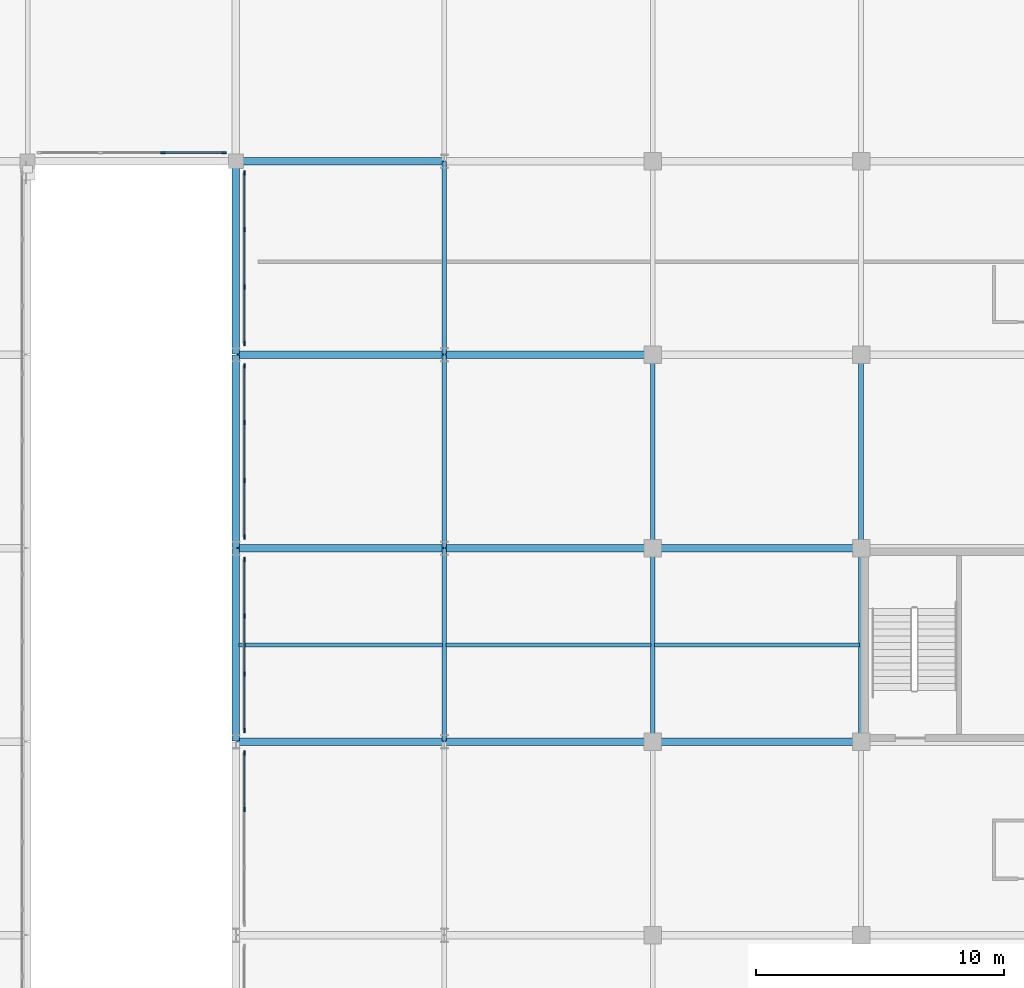
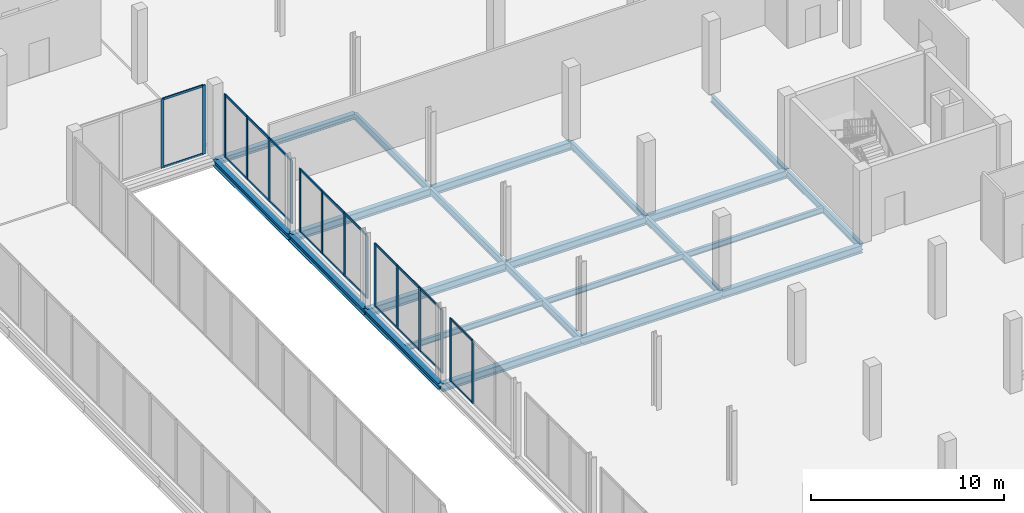
# One storey, part 54 of 98: 38 members, 22 beams, 5 elements without a shape of their own.
"""IFC4 building model written with IfcOpenShell, lengths in metres."""

from ifc_helpers import new_model, si_unit, direction, frame, origin, origin_2d, place, context, subcontext, project, spatial, rectangle, i_section, extrude, material, material_profile, profile_set, type_object, element, aggregate, save


model = new_model("IFC4")

# Units and contexts
model_context = context("Model", 3, precision=1e-05, world=origin(), true_north=direction((0.0, 1.0)))
body_context = subcontext(model_context, "Body", "Model", "MODEL_VIEW")
ifc_project = project(units=[si_unit("LENGTHUNIT", "METRE"), si_unit("AREAUNIT", "SQUARE_METRE"), si_unit("VOLUMEUNIT", "CUBIC_METRE"), si_unit("PLANEANGLEUNIT", "RADIAN"), si_unit("MASSUNIT", "GRAM", prefix="KILO")], contexts=[model_context])

# Site, building, storey
site_placement = place(None, origin())
site = spatial("IfcSite", under=ifc_project, at=site_placement, CompositionType="ELEMENT")
building_placement = place(site_placement, origin())
building = spatial("IfcBuilding", under=site, at=building_placement, Name="Nabrawat Pavilion Hospital", CompositionType="ELEMENT")
storey_placement = place(building_placement, frame((0.0, 0.0, 10.199951171875)))
storey = spatial("IfcBuildingStorey", under=building, at=storey_placement, Name="L02", CompositionType="ELEMENT", Elevation=10.199951171875)

# Curtain wall, members
ifc_material_1 = material(Name="Anodised Aluminium", Category="aluminium")
curtain_wall_type = type_object("IfcCurtainWallType", Name="Healing Garden Cloister Curtain Wall", PredefinedType="USERDEFINED", material=ifc_material_1)
curtain_wall_1_placement = place(storey_placement, origin())
curtain_wall_1 = element("IfcCurtainWall", 1, at=curtain_wall_1_placement, inside=storey, type_object=curtain_wall_type, Name="L02 Healing Garden Cloister Curtain Wall 129", ObjectType="CURTAIN WALL", PredefinedType="USERDEFINED")
ifc_material_profile_1 = material_profile(ifc_material_1, rectangle(XDim=0.06494140625, YDim=0.179931640625, at=origin_2d()), Name="CWM 65x180")
ifc_profile_set_1 = profile_set([ifc_material_profile_1], Name="Anodised Aluminium")
member_type_1 = type_object("IfcMemberType", Name="Healing Garden Cloister Curtain Wall Mullion CWM 65x180", PredefinedType="MULLION", material=ifc_profile_set_1)
member_1_placement = place(storey_placement, frame((123.05322265625, 86.139892578125, 0.0), z_axis=(0.0, 0.0, 1.0), x_axis=(0.0, 1.0, 0.0)))
member_1 = element("IfcMember", 2, at=member_1_placement, type_object=member_type_1, Name="CW-CLN-01 mullion 3", PredefinedType="MULLION", context=body_context, shape_type="SweptSolid", body=[
    extrude(rectangle(XDim=0.06494140625, YDim=0.179931640625, at=origin_2d()), origin(), (0.0, 0.0, 1.0), 4.3701171875),
])
member_2_placement = place(storey_placement, frame((125.527587890625, 86.139892578125, 0.0), z_axis=(0.0, 0.0, 1.0), x_axis=(0.0, 1.0, 0.0)))
member_2 = element("IfcMember", 3, at=member_2_placement, type_object=member_type_1, Name="CW-CLN-01 mullion 4", PredefinedType="MULLION", context=body_context, shape_type="SweptSolid", body=[
    extrude(rectangle(XDim=0.06494140625, YDim=0.179931640625, at=origin_2d()), origin(), (0.0, 0.0, 1.0), 4.3701171875),
])

curtain_wall_2_placement = place(storey_placement, origin())
curtain_wall_2 = element("IfcCurtainWall", 4, at=curtain_wall_2_placement, inside=storey, type_object=curtain_wall_type, Name="L02 Healing Garden Cloister Curtain Wall 133", ObjectType="CURTAIN WALL", PredefinedType="USERDEFINED")
member_3_placement = place(storey_placement, frame((126.340087890625, 59.66162109375, 0.0), z_axis=(0.0, 0.0, 1.0), x_axis=(-1.0, 0.0, 0.0)))
member_3 = element("IfcMember", 5, at=member_3_placement, type_object=member_type_1, Name="CW-CLN-01 mullion 3", PredefinedType="MULLION", context=body_context, shape_type="SweptSolid", body=[
    extrude(rectangle(XDim=0.06494140625, YDim=0.179931640625, at=origin_2d()), origin(), (0.0, 0.0, 1.0), 3.989990234375),
])
member_4_placement = place(storey_placement, frame((126.340087890625, 61.952392578125, 0.0), z_axis=(0.0, 0.0, 1.0), x_axis=(-1.0, 0.0, 0.0)))
member_4 = element("IfcMember", 6, at=member_4_placement, type_object=member_type_1, Name="CW-CLN-01 mullion 4", PredefinedType="MULLION", context=body_context, shape_type="SweptSolid", body=[
    extrude(rectangle(XDim=0.06494140625, YDim=0.179931640625, at=origin_2d()), origin(), (0.0, 0.0, 1.0), 3.989990234375),
])

curtain_wall_3_placement = place(storey_placement, origin())
curtain_wall_3 = element("IfcCurtainWall", 7, at=curtain_wall_3_placement, inside=storey, type_object=curtain_wall_type, Name="L02 Healing Garden Cloister Curtain Wall 134", ObjectType="CURTAIN WALL", PredefinedType="USERDEFINED")
member_5_placement = place(storey_placement, frame((126.340087890625, 62.847412109375, 0.0), z_axis=(0.0, 0.0, 1.0), x_axis=(-1.0, 0.0, 0.0)))
member_5 = element("IfcMember", 8, at=member_5_placement, type_object=member_type_1, Name="CW-CLN-01 mullion 1", PredefinedType="MULLION", context=body_context, shape_type="SweptSolid", body=[
    extrude(rectangle(XDim=0.06494140625, YDim=0.179931640625, at=origin_2d()), origin(), (0.0, 0.0, 1.0), 3.989990234375),
])
member_6_placement = place(storey_placement, frame((126.340087890625, 65.138427734375, 0.0), z_axis=(0.0, 0.0, 1.0), x_axis=(-1.0, 0.0, 0.0)))
member_6 = element("IfcMember", 9, at=member_6_placement, type_object=member_type_1, Name="CW-CLN-01 mullion 2", PredefinedType="MULLION", context=body_context, shape_type="SweptSolid", body=[
    extrude(rectangle(XDim=0.06494140625, YDim=0.179931640625, at=origin_2d()), origin(), (0.0, 0.0, 1.0), 3.989990234375),
])
member_7_placement = place(storey_placement, frame((126.340087890625, 67.461669921875, 0.0), z_axis=(0.0, 0.0, 1.0), x_axis=(-1.0, 0.0, 0.0)))
member_7 = element("IfcMember", 10, at=member_7_placement, type_object=member_type_1, Name="CW-CLN-01 mullion 3", PredefinedType="MULLION", context=body_context, shape_type="SweptSolid", body=[
    extrude(rectangle(XDim=0.06494140625, YDim=0.179931640625, at=origin_2d()), origin(), (0.0, 0.0, 1.0), 3.989990234375),
])
member_8_placement = place(storey_placement, frame((126.340087890625, 69.75244140625, 0.0), z_axis=(0.0, 0.0, 1.0), x_axis=(-1.0, 0.0, 0.0)))
member_8 = element("IfcMember", 11, at=member_8_placement, type_object=member_type_1, Name="CW-CLN-01 mullion 4", PredefinedType="MULLION", context=body_context, shape_type="SweptSolid", body=[
    extrude(rectangle(XDim=0.06494140625, YDim=0.179931640625, at=origin_2d()), origin(), (0.0, 0.0, 1.0), 3.989990234375),
])

curtain_wall_4_placement = place(storey_placement, origin())
curtain_wall_4 = element("IfcCurtainWall", 12, at=curtain_wall_4_placement, inside=storey, type_object=curtain_wall_type, Name="L02 Healing Garden Cloister Curtain Wall 135", ObjectType="CURTAIN WALL", PredefinedType="USERDEFINED")
member_9_placement = place(storey_placement, frame((126.340087890625, 70.6474609375, 0.0), z_axis=(0.0, 0.0, 1.0), x_axis=(-1.0, 0.0, 0.0)))
member_9 = element("IfcMember", 13, at=member_9_placement, type_object=member_type_1, Name="CW-CLN-01 mullion 1", PredefinedType="MULLION", context=body_context, shape_type="SweptSolid", body=[
    extrude(rectangle(XDim=0.06494140625, YDim=0.179931640625, at=origin_2d()), origin(), (0.0, 0.0, 1.0), 3.989990234375),
])
member_10_placement = place(storey_placement, frame((126.340087890625, 72.938232421875, 0.0), z_axis=(0.0, 0.0, 1.0), x_axis=(-1.0, 0.0, 0.0)))
member_10 = element("IfcMember", 14, at=member_10_placement, type_object=member_type_1, Name="CW-CLN-01 mullion 2", PredefinedType="MULLION", context=body_context, shape_type="SweptSolid", body=[
    extrude(rectangle(XDim=0.06494140625, YDim=0.179931640625, at=origin_2d()), origin(), (0.0, 0.0, 1.0), 3.989990234375),
])
member_11_placement = place(storey_placement, frame((126.340087890625, 75.26171875, 0.0), z_axis=(0.0, 0.0, 1.0), x_axis=(-1.0, 0.0, 0.0)))
member_11 = element("IfcMember", 15, at=member_11_placement, type_object=member_type_1, Name="CW-CLN-01 mullion 3", PredefinedType="MULLION", context=body_context, shape_type="SweptSolid", body=[
    extrude(rectangle(XDim=0.06494140625, YDim=0.179931640625, at=origin_2d()), origin(), (0.0, 0.0, 1.0), 3.989990234375),
])
member_12_placement = place(storey_placement, frame((126.340087890625, 77.552490234375, 0.0), z_axis=(0.0, 0.0, 1.0), x_axis=(-1.0, 0.0, 0.0)))
member_12 = element("IfcMember", 16, at=member_12_placement, type_object=member_type_1, Name="CW-CLN-01 mullion 4", PredefinedType="MULLION", context=body_context, shape_type="SweptSolid", body=[
    extrude(rectangle(XDim=0.06494140625, YDim=0.179931640625, at=origin_2d()), origin(), (0.0, 0.0, 1.0), 3.989990234375),
])

curtain_wall_5_placement = place(storey_placement, origin())
curtain_wall_5 = element("IfcCurtainWall", 17, at=curtain_wall_5_placement, inside=storey, type_object=curtain_wall_type, Name="L02 Healing Garden Cloister Curtain Wall 136", ObjectType="CURTAIN WALL", PredefinedType="USERDEFINED")
member_13_placement = place(storey_placement, frame((126.340087890625, 78.447509765625, 0.0), z_axis=(0.0, 0.0, 1.0), x_axis=(-1.0, 0.0, 0.0)))
member_13 = element("IfcMember", 18, at=member_13_placement, type_object=member_type_1, Name="CW-CLN-01 mullion 1", PredefinedType="MULLION", context=body_context, shape_type="SweptSolid", body=[
    extrude(rectangle(XDim=0.06494140625, YDim=0.179931640625, at=origin_2d()), origin(), (0.0, 0.0, 1.0), 3.989990234375),
])
member_14_placement = place(storey_placement, frame((126.340087890625, 80.72998046875, 0.0), z_axis=(0.0, 0.0, 1.0), x_axis=(-1.0, 0.0, 0.0)))
member_14 = element("IfcMember", 19, at=member_14_placement, type_object=member_type_1, Name="CW-CLN-01 mullion 2", PredefinedType="MULLION", context=body_context, shape_type="SweptSolid", body=[
    extrude(rectangle(XDim=0.06494140625, YDim=0.179931640625, at=origin_2d()), origin(), (0.0, 0.0, 1.0), 3.989990234375),
])
member_15_placement = place(storey_placement, frame((126.340087890625, 83.044921875, 0.0), z_axis=(0.0, 0.0, 1.0), x_axis=(-1.0, 0.0, 0.0)))
member_15 = element("IfcMember", 20, at=member_15_placement, type_object=member_type_1, Name="CW-CLN-01 mullion 3", PredefinedType="MULLION", context=body_context, shape_type="SweptSolid", body=[
    extrude(rectangle(XDim=0.06494140625, YDim=0.179931640625, at=origin_2d()), origin(), (0.0, 0.0, 1.0), 3.989990234375),
])
member_16_placement = place(storey_placement, frame((126.340087890625, 85.327392578125, 0.0), z_axis=(0.0, 0.0, 1.0), x_axis=(-1.0, 0.0, 0.0)))
member_16 = element("IfcMember", 21, at=member_16_placement, type_object=member_type_1, Name="CW-CLN-01 mullion 4", PredefinedType="MULLION", context=body_context, shape_type="SweptSolid", body=[
    extrude(rectangle(XDim=0.06494140625, YDim=0.179931640625, at=origin_2d()), origin(), (0.0, 0.0, 1.0), 3.989990234375),
])

# Member
ifc_material_profile_2 = material_profile(ifc_material_1, rectangle(XDim=0.06494140625, YDim=0.135009765625, at=origin_2d()), Name="CWT 65x135")
ifc_profile_set_2 = profile_set([ifc_material_profile_2], Name="Anodised Aluminium")
member_type_2 = type_object("IfcMemberType", Name="Healing Garden Cloister Curtain Wall Transom CWT 65x135", PredefinedType="USERDEFINED", material=ifc_profile_set_2)
member_17_placement = place(storey_placement, frame((123.0859375, 86.139892578125, 0.032470703125), z_axis=(1.0, 0.0, 0.0), x_axis=(0.0, 1.0, 0.0)))
member_17 = element("IfcMember", 22, at=member_17_placement, type_object=member_type_2, Name="CW-CLN-01 transom 3.1", ObjectType="TRANSOM", PredefinedType="USERDEFINED", context=body_context, shape_type="SweptSolid", body=[
    extrude(rectangle(XDim=0.06494140625, YDim=0.135009765625, at=origin_2d()), origin(), (0.0, 0.0, 1.0), 2.4091796875),
])

member_18_placement = place(storey_placement, frame((123.0859375, 86.139892578125, 4.337646484375), z_axis=(1.0, 0.0, 0.0), x_axis=(0.0, 1.0, 0.0)))
member_18 = element("IfcMember", 23, at=member_18_placement, type_object=member_type_2, Name="CW-CLN-01 transom 3.2", ObjectType="TRANSOM", PredefinedType="USERDEFINED", context=body_context, shape_type="SweptSolid", body=[
    extrude(rectangle(XDim=0.06494140625, YDim=0.135009765625, at=origin_2d()), origin(), (0.0, 0.0, 1.0), 2.4091796875),
])

aggregate(curtain_wall_1, [member_1, member_2, member_17, member_18])

member_19_placement = place(storey_placement, frame((126.340087890625, 59.694091796875, 0.032470703125), z_axis=(0.0, 1.0, 0.0), x_axis=(-1.0, 0.0, 0.0)))
member_19 = element("IfcMember", 24, at=member_19_placement, type_object=member_type_2, Name="CW-CLN-01 transom 3.1", ObjectType="TRANSOM", PredefinedType="USERDEFINED", context=body_context, shape_type="SweptSolid", body=[
    extrude(rectangle(XDim=0.06494140625, YDim=0.135009765625, at=origin_2d()), origin(), (0.0, 0.0, 1.0), 2.225830078125),
])

member_20_placement = place(storey_placement, frame((126.340087890625, 59.694091796875, 3.95751953125), z_axis=(0.0, 1.0, 0.0), x_axis=(-1.0, 0.0, 0.0)))
member_20 = element("IfcMember", 25, at=member_20_placement, type_object=member_type_2, Name="CW-CLN-01 transom 3.2", ObjectType="TRANSOM", PredefinedType="USERDEFINED", context=body_context, shape_type="SweptSolid", body=[
    extrude(rectangle(XDim=0.06494140625, YDim=0.135009765625, at=origin_2d()), origin(), (0.0, 0.0, 1.0), 2.225830078125),
])

aggregate(curtain_wall_2, [member_3, member_4, member_19, member_20])

member_21_placement = place(storey_placement, frame((126.340087890625, 62.8798828125, 0.032470703125), z_axis=(0.0, 1.0, 0.0), x_axis=(-1.0, 0.0, 0.0)))
member_21 = element("IfcMember", 26, at=member_21_placement, type_object=member_type_2, Name="CW-CLN-01 transom 1.1", ObjectType="TRANSOM", PredefinedType="USERDEFINED", context=body_context, shape_type="SweptSolid", body=[
    extrude(rectangle(XDim=0.06494140625, YDim=0.135009765625, at=origin_2d()), origin(), (0.0, 0.0, 1.0), 2.225830078125),
])

member_22_placement = place(storey_placement, frame((126.340087890625, 62.8798828125, 3.95751953125), z_axis=(0.0, 1.0, 0.0), x_axis=(-1.0, 0.0, 0.0)))
member_22 = element("IfcMember", 27, at=member_22_placement, type_object=member_type_2, Name="CW-CLN-01 transom 1.2", ObjectType="TRANSOM", PredefinedType="USERDEFINED", context=body_context, shape_type="SweptSolid", body=[
    extrude(rectangle(XDim=0.06494140625, YDim=0.135009765625, at=origin_2d()), origin(), (0.0, 0.0, 1.0), 2.225830078125),
])

member_23_placement = place(storey_placement, frame((126.340087890625, 65.1708984375, 0.032470703125), z_axis=(0.0, 1.0, 0.0), x_axis=(-1.0, 0.0, 0.0)))
member_23 = element("IfcMember", 28, at=member_23_placement, type_object=member_type_2, Name="CW-CLN-01 transom 2.1", ObjectType="TRANSOM", PredefinedType="USERDEFINED", context=body_context, shape_type="SweptSolid", body=[
    extrude(rectangle(XDim=0.06494140625, YDim=0.135009765625, at=origin_2d()), origin(), (0.0, 0.0, 1.0), 2.25830078125),
])

member_24_placement = place(storey_placement, frame((126.340087890625, 65.1708984375, 3.95751953125), z_axis=(0.0, 1.0, 0.0), x_axis=(-1.0, 0.0, 0.0)))
member_24 = element("IfcMember", 29, at=member_24_placement, type_object=member_type_2, Name="CW-CLN-01 transom 2.2", ObjectType="TRANSOM", PredefinedType="USERDEFINED", context=body_context, shape_type="SweptSolid", body=[
    extrude(rectangle(XDim=0.06494140625, YDim=0.135009765625, at=origin_2d()), origin(), (0.0, 0.0, 1.0), 2.25830078125),
])

member_25_placement = place(storey_placement, frame((126.340087890625, 67.494140625, 0.032470703125), z_axis=(0.0, 1.0, 0.0), x_axis=(-1.0, 0.0, 0.0)))
member_25 = element("IfcMember", 30, at=member_25_placement, type_object=member_type_2, Name="CW-CLN-01 transom 3.1", ObjectType="TRANSOM", PredefinedType="USERDEFINED", context=body_context, shape_type="SweptSolid", body=[
    extrude(rectangle(XDim=0.06494140625, YDim=0.135009765625, at=origin_2d()), origin(), (0.0, 0.0, 1.0), 2.225830078125),
])

member_26_placement = place(storey_placement, frame((126.340087890625, 67.494140625, 3.95751953125), z_axis=(0.0, 1.0, 0.0), x_axis=(-1.0, 0.0, 0.0)))
member_26 = element("IfcMember", 31, at=member_26_placement, type_object=member_type_2, Name="CW-CLN-01 transom 3.2", ObjectType="TRANSOM", PredefinedType="USERDEFINED", context=body_context, shape_type="SweptSolid", body=[
    extrude(rectangle(XDim=0.06494140625, YDim=0.135009765625, at=origin_2d()), origin(), (0.0, 0.0, 1.0), 2.225830078125),
])

aggregate(curtain_wall_3, [member_5, member_6, member_7, member_8, member_21, member_22, member_23, member_24, member_25, member_26])

member_27_placement = place(storey_placement, frame((126.340087890625, 70.679931640625, 0.032470703125), z_axis=(0.0, 1.0, 0.0), x_axis=(-1.0, 0.0, 0.0)))
member_27 = element("IfcMember", 32, at=member_27_placement, type_object=member_type_2, Name="CW-CLN-01 transom 1.1", ObjectType="TRANSOM", PredefinedType="USERDEFINED", context=body_context, shape_type="SweptSolid", body=[
    extrude(rectangle(XDim=0.06494140625, YDim=0.135009765625, at=origin_2d()), origin(), (0.0, 0.0, 1.0), 2.225830078125),
])

member_28_placement = place(storey_placement, frame((126.340087890625, 70.679931640625, 3.95751953125), z_axis=(0.0, 1.0, 0.0), x_axis=(-1.0, 0.0, 0.0)))
member_28 = element("IfcMember", 33, at=member_28_placement, type_object=member_type_2, Name="CW-CLN-01 transom 1.2", ObjectType="TRANSOM", PredefinedType="USERDEFINED", context=body_context, shape_type="SweptSolid", body=[
    extrude(rectangle(XDim=0.06494140625, YDim=0.135009765625, at=origin_2d()), origin(), (0.0, 0.0, 1.0), 2.225830078125),
])

member_29_placement = place(storey_placement, frame((126.340087890625, 72.970947265625, 0.032470703125), z_axis=(0.0, 1.0, 0.0), x_axis=(-1.0, 0.0, 0.0)))
member_29 = element("IfcMember", 34, at=member_29_placement, type_object=member_type_2, Name="CW-CLN-01 transom 2.1", ObjectType="TRANSOM", PredefinedType="USERDEFINED", context=body_context, shape_type="SweptSolid", body=[
    extrude(rectangle(XDim=0.06494140625, YDim=0.135009765625, at=origin_2d()), origin(), (0.0, 0.0, 1.0), 2.25830078125),
])

member_30_placement = place(storey_placement, frame((126.340087890625, 72.970947265625, 3.95751953125), z_axis=(0.0, 1.0, 0.0), x_axis=(-1.0, 0.0, 0.0)))
member_30 = element("IfcMember", 35, at=member_30_placement, type_object=member_type_2, Name="CW-CLN-01 transom 2.2", ObjectType="TRANSOM", PredefinedType="USERDEFINED", context=body_context, shape_type="SweptSolid", body=[
    extrude(rectangle(XDim=0.06494140625, YDim=0.135009765625, at=origin_2d()), origin(), (0.0, 0.0, 1.0), 2.25830078125),
])

member_31_placement = place(storey_placement, frame((126.340087890625, 75.294189453125, 0.032470703125), z_axis=(0.0, 1.0, 0.0), x_axis=(-1.0, 0.0, 0.0)))
member_31 = element("IfcMember", 36, at=member_31_placement, type_object=member_type_2, Name="CW-CLN-01 transom 3.1", ObjectType="TRANSOM", PredefinedType="USERDEFINED", context=body_context, shape_type="SweptSolid", body=[
    extrude(rectangle(XDim=0.06494140625, YDim=0.135009765625, at=origin_2d()), origin(), (0.0, 0.0, 1.0), 2.225830078125),
])

member_32_placement = place(storey_placement, frame((126.340087890625, 75.294189453125, 3.95751953125), z_axis=(0.0, 1.0, 0.0), x_axis=(-1.0, 0.0, 0.0)))
member_32 = element("IfcMember", 37, at=member_32_placement, type_object=member_type_2, Name="CW-CLN-01 transom 3.2", ObjectType="TRANSOM", PredefinedType="USERDEFINED", context=body_context, shape_type="SweptSolid", body=[
    extrude(rectangle(XDim=0.06494140625, YDim=0.135009765625, at=origin_2d()), origin(), (0.0, 0.0, 1.0), 2.225830078125),
])

aggregate(curtain_wall_4, [member_9, member_10, member_11, member_12, member_27, member_28, member_29, member_30, member_31, member_32])

member_33_placement = place(storey_placement, frame((126.340087890625, 78.47998046875, 0.032470703125), z_axis=(0.0, 1.0, 0.0), x_axis=(-1.0, 0.0, 0.0)))
member_33 = element("IfcMember", 38, at=member_33_placement, type_object=member_type_2, Name="CW-CLN-01 transom 1.1", ObjectType="TRANSOM", PredefinedType="USERDEFINED", context=body_context, shape_type="SweptSolid", body=[
    extrude(rectangle(XDim=0.06494140625, YDim=0.135009765625, at=origin_2d()), origin(), (0.0, 0.0, 1.0), 2.217529296875),
])

member_34_placement = place(storey_placement, frame((126.340087890625, 78.47998046875, 3.95751953125), z_axis=(0.0, 1.0, 0.0), x_axis=(-1.0, 0.0, 0.0)))
member_34 = element("IfcMember", 39, at=member_34_placement, type_object=member_type_2, Name="CW-CLN-01 transom 1.2", ObjectType="TRANSOM", PredefinedType="USERDEFINED", context=body_context, shape_type="SweptSolid", body=[
    extrude(rectangle(XDim=0.06494140625, YDim=0.135009765625, at=origin_2d()), origin(), (0.0, 0.0, 1.0), 2.217529296875),
])

member_35_placement = place(storey_placement, frame((126.340087890625, 80.762451171875, 0.032470703125), z_axis=(0.0, 1.0, 0.0), x_axis=(-1.0, 0.0, 0.0)))
member_35 = element("IfcMember", 40, at=member_35_placement, type_object=member_type_2, Name="CW-CLN-01 transom 2.1", ObjectType="TRANSOM", PredefinedType="USERDEFINED", context=body_context, shape_type="SweptSolid", body=[
    extrude(rectangle(XDim=0.06494140625, YDim=0.135009765625, at=origin_2d()), origin(), (0.0, 0.0, 1.0), 2.25),
])

member_36_placement = place(storey_placement, frame((126.340087890625, 80.762451171875, 3.95751953125), z_axis=(0.0, 1.0, 0.0), x_axis=(-1.0, 0.0, 0.0)))
member_36 = element("IfcMember", 41, at=member_36_placement, type_object=member_type_2, Name="CW-CLN-01 transom 2.2", ObjectType="TRANSOM", PredefinedType="USERDEFINED", context=body_context, shape_type="SweptSolid", body=[
    extrude(rectangle(XDim=0.06494140625, YDim=0.135009765625, at=origin_2d()), origin(), (0.0, 0.0, 1.0), 2.25),
])

member_37_placement = place(storey_placement, frame((126.340087890625, 83.077392578125, 0.032470703125), z_axis=(0.0, 1.0, 0.0), x_axis=(-1.0, 0.0, 0.0)))
member_37 = element("IfcMember", 42, at=member_37_placement, type_object=member_type_2, Name="CW-CLN-01 transom 3.1", ObjectType="TRANSOM", PredefinedType="USERDEFINED", context=body_context, shape_type="SweptSolid", body=[
    extrude(rectangle(XDim=0.06494140625, YDim=0.135009765625, at=origin_2d()), origin(), (0.0, 0.0, 1.0), 2.217529296875),
])

member_38_placement = place(storey_placement, frame((126.340087890625, 83.077392578125, 3.95751953125), z_axis=(0.0, 1.0, 0.0), x_axis=(-1.0, 0.0, 0.0)))
member_38 = element("IfcMember", 43, at=member_38_placement, type_object=member_type_2, Name="CW-CLN-01 transom 3.2", ObjectType="TRANSOM", PredefinedType="USERDEFINED", context=body_context, shape_type="SweptSolid", body=[
    extrude(rectangle(XDim=0.06494140625, YDim=0.135009765625, at=origin_2d()), origin(), (0.0, 0.0, 1.0), 2.217529296875),
])

aggregate(curtain_wall_5, [member_13, member_14, member_15, member_16, member_33, member_34, member_35, member_36, member_37, member_38])

# Beams
ifc_material_2 = material(Name="Steel S355", Category="steel")
ifc_material_profile_3 = material_profile(ifc_material_2, i_section(OverallWidth=0.169921875, OverallDepth=0.360107421875, WebThickness=0.008056640625, FlangeThickness=0.0126953125, FilletRadius=0.01806640625, at=origin_2d()), Name="IPE 360")
ifc_profile_set_3 = profile_set([ifc_material_profile_3], Name="Steel S355")
beam_type_1 = type_object("IfcBeamType", Name="Heavy Clinical Secondary Joist IPE 360", PredefinedType="JOIST", material=ifc_profile_set_3)
beam_1_placement = place(storey_placement, frame((126.125, 66.300048828125, -0.429931640625), z_axis=(1.0, 0.0, 0.0), x_axis=(0.0, 1.0, 0.0)))
element("IfcBeam", 44, at=beam_1_placement, inside=storey, type_object=beam_type_1, Name="L02 Secondary Composite Floor Joist 1406", PredefinedType="JOIST", context=body_context, shape_type="SweptSolid", body=[
    extrude(i_section(OverallWidth=0.169921875, OverallDepth=0.360107421875, WebThickness=0.008056640625, FlangeThickness=0.0126953125, FilletRadius=0.01806640625, at=origin_2d()), origin(), (0.0, 0.0, 1.0), 8.205078125),
])
beam_2_placement = place(storey_placement, frame((134.469970703125, 66.300048828125, -0.429931640625), z_axis=(1.0, 0.0, 0.0), x_axis=(0.0, 1.0, 0.0)))
element("IfcBeam", 45, at=beam_2_placement, inside=storey, type_object=beam_type_1, Name="L02 Secondary Composite Floor Joist 1408", PredefinedType="JOIST", context=body_context, shape_type="SweptSolid", body=[
    extrude(i_section(OverallWidth=0.169921875, OverallDepth=0.360107421875, WebThickness=0.008056640625, FlangeThickness=0.0126953125, FilletRadius=0.01806640625, at=origin_2d()), origin(), (0.0, 0.0, 1.0), 8.260009765625),
])
beam_3_placement = place(storey_placement, frame((142.8701171875, 66.300048828125, -0.429931640625), z_axis=(1.0, 0.0, 0.0), x_axis=(0.0, 1.0, 0.0)))
element("IfcBeam", 46, at=beam_3_placement, inside=storey, type_object=beam_type_1, Name="L02 Secondary Composite Floor Joist 1410", PredefinedType="JOIST", context=body_context, shape_type="SweptSolid", body=[
    extrude(i_section(OverallWidth=0.169921875, OverallDepth=0.360107421875, WebThickness=0.008056640625, FlangeThickness=0.0126953125, FilletRadius=0.01806640625, at=origin_2d()), origin(), (0.0, 0.0, 1.0), 8.259765625),
])
ifc_material_profile_4 = material_profile(ifc_material_2, i_section(OverallWidth=0.300048828125, OverallDepth=0.389892578125, WebThickness=0.010986328125, FlangeThickness=0.01904296875, FilletRadius=0.027099609375, at=origin_2d()), Name="HEA 400")
ifc_profile_set_4 = profile_set([ifc_material_profile_4], Name="Steel S355")
beam_type_2 = type_object("IfcBeamType", Name="Perimeter Moment Spandrel Beam HEA 400", PredefinedType="SPANDREL", material=ifc_profile_set_4)
for number, where, z_axis, x_axis, name in (
    (47, (126.0, 62.419921875, -0.445068359375), (0.0, 1.0, 0.0), (-1.0, 0.0, 0.0), "L02 Primary Y Beam 1284"),
    (48, (126.0, 70.219970703125, -0.445068359375), (0.0, 1.0, 0.0), (-1.0, 0.0, 0.0), "L02 Primary Y Beam 1285"),
    (49, (126.0, 78.02001953125, -0.445068359375), (0.0, 1.0, 0.0), (-1.0, 0.0, 0.0), "L02 Primary Y Beam 1286"),
):
    element("IfcBeam", number, at=place(storey_placement, frame(where, z_axis=z_axis, x_axis=x_axis)), inside=storey, type_object=beam_type_2, Name=name, PredefinedType="SPANDREL", context=body_context, shape_type="SweptSolid", body=[
        extrude(i_section(OverallWidth=0.300048828125, OverallDepth=0.389892578125, WebThickness=0.010986328125, FlangeThickness=0.01904296875, FilletRadius=0.027099609375, at=origin_2d()), origin(), (0.0, 0.0, 1.0), 7.760009765625),
    ])
ifc_material_profile_5 = material_profile(ifc_material_2, i_section(OverallWidth=0.300048828125, OverallDepth=0.5, WebThickness=0.014404296875, FlangeThickness=0.028076171875, FilletRadius=0.027099609375, at=origin_2d()), Name="HEB 500")
ifc_profile_set_5 = profile_set([ifc_material_profile_5], Name="Steel S355")
beam_type_3 = type_object("IfcBeamType", Name="Primary Floor Girder HEB 500", PredefinedType="USERDEFINED", material=ifc_profile_set_5)
beam_4_placement = place(storey_placement, frame((126.02001953125, 62.39990234375, -0.5), z_axis=(1.0, 0.0, 0.0), x_axis=(0.0, 1.0, 0.0)))
element("IfcBeam", 50, at=beam_4_placement, inside=storey, type_object=beam_type_3, Name="L02 Primary X Girder 1046", ObjectType="GIRDER", PredefinedType="USERDEFINED", context=body_context, shape_type="SweptSolid", body=[
    extrude(i_section(OverallWidth=0.300048828125, OverallDepth=0.5, WebThickness=0.014404296875, FlangeThickness=0.028076171875, FilletRadius=0.027099609375, at=origin_2d()), origin(), (0.0, 0.0, 1.0), 8.35986328125),
])
beam_5_placement = place(storey_placement, frame((134.419921875, 62.39990234375, -0.5), z_axis=(1.0, 0.0, 0.0), x_axis=(0.0, 1.0, 0.0)))
element("IfcBeam", 51, at=beam_5_placement, inside=storey, type_object=beam_type_3, Name="L02 Primary X Girder 1047", ObjectType="GIRDER", PredefinedType="USERDEFINED", context=body_context, shape_type="SweptSolid", body=[
    extrude(i_section(OverallWidth=0.300048828125, OverallDepth=0.5, WebThickness=0.014404296875, FlangeThickness=0.028076171875, FilletRadius=0.027099609375, at=origin_2d()), origin(), (0.0, 0.0, 1.0), 8.360107421875),
])
for number, where, z_axis, x_axis, name in (
    (52, (142.820068359375, 62.39990234375, -0.5), (1.0, 0.0, 0.0), (0.0, 1.0, 0.0), "L02 Primary X Girder 1048"),
    (53, (126.02001953125, 70.199951171875, -0.5), (1.0, 0.0, 0.0), (0.0, 1.0, 0.0), "L02 Primary X Girder 1057"),
):
    element("IfcBeam", number, at=place(storey_placement, frame(where, z_axis=z_axis, x_axis=x_axis)), inside=storey, type_object=beam_type_3, Name=name, ObjectType="GIRDER", PredefinedType="USERDEFINED", context=body_context, shape_type="SweptSolid", body=[
        extrude(i_section(OverallWidth=0.300048828125, OverallDepth=0.5, WebThickness=0.014404296875, FlangeThickness=0.028076171875, FilletRadius=0.027099609375, at=origin_2d()), origin(), (0.0, 0.0, 1.0), 8.35986328125),
    ])
beam_6_placement = place(storey_placement, frame((134.419921875, 70.199951171875, -0.5), z_axis=(1.0, 0.0, 0.0), x_axis=(0.0, 1.0, 0.0)))
element("IfcBeam", 54, at=beam_6_placement, inside=storey, type_object=beam_type_3, Name="L02 Primary X Girder 1058", ObjectType="GIRDER", PredefinedType="USERDEFINED", context=body_context, shape_type="SweptSolid", body=[
    extrude(i_section(OverallWidth=0.300048828125, OverallDepth=0.5, WebThickness=0.014404296875, FlangeThickness=0.028076171875, FilletRadius=0.027099609375, at=origin_2d()), origin(), (0.0, 0.0, 1.0), 8.360107421875),
])
for number, where, z_axis, x_axis, name in (
    (55, (142.820068359375, 70.199951171875, -0.5), (1.0, 0.0, 0.0), (0.0, 1.0, 0.0), "L02 Primary X Girder 1059"),
    (56, (126.02001953125, 78.0, -0.5), (1.0, 0.0, 0.0), (0.0, 1.0, 0.0), "L02 Primary X Girder 1069"),
):
    element("IfcBeam", number, at=place(storey_placement, frame(where, z_axis=z_axis, x_axis=x_axis)), inside=storey, type_object=beam_type_3, Name=name, ObjectType="GIRDER", PredefinedType="USERDEFINED", context=body_context, shape_type="SweptSolid", body=[
        extrude(i_section(OverallWidth=0.300048828125, OverallDepth=0.5, WebThickness=0.014404296875, FlangeThickness=0.028076171875, FilletRadius=0.027099609375, at=origin_2d()), origin(), (0.0, 0.0, 1.0), 8.35986328125),
    ])
beam_7_placement = place(storey_placement, frame((134.419921875, 78.0, -0.5), z_axis=(1.0, 0.0, 0.0), x_axis=(0.0, 1.0, 0.0)))
element("IfcBeam", 57, at=beam_7_placement, inside=storey, type_object=beam_type_3, Name="L02 Primary X Girder 1070", ObjectType="GIRDER", PredefinedType="USERDEFINED", context=body_context, shape_type="SweptSolid", body=[
    extrude(i_section(OverallWidth=0.300048828125, OverallDepth=0.5, WebThickness=0.014404296875, FlangeThickness=0.028076171875, FilletRadius=0.027099609375, at=origin_2d()), origin(), (0.0, 0.0, 1.0), 8.360107421875),
])
ifc_material_profile_6 = material_profile(ifc_material_2, i_section(OverallWidth=0.18994140625, OverallDepth=0.449951171875, WebThickness=0.009521484375, FlangeThickness=0.0146484375, FilletRadius=0.02099609375, at=origin_2d()), Name="IPE 450")
ifc_profile_set_6 = profile_set([ifc_material_profile_6], Name="Steel S355")
beam_type_4 = type_object("IfcBeamType", Name="Primary Y Floor Beam IPE 450", PredefinedType="BEAM", material=ifc_profile_set_6)
for number, where, z_axis, x_axis, name in (
    (58, (134.39990234375, 62.419921875, -0.474853515625), (0.0, 1.0, 0.0), (-1.0, 0.0, 0.0), "L02 Primary Y Beam 1300"),
    (59, (134.39990234375, 70.219970703125, -0.474853515625), (0.0, 1.0, 0.0), (-1.0, 0.0, 0.0), "L02 Primary Y Beam 1301"),
    (60, (134.39990234375, 78.02001953125, -0.474853515625), (0.0, 1.0, 0.0), (-1.0, 0.0, 0.0), "L02 Primary Y Beam 1302"),
    (61, (142.800048828125, 62.419921875, -0.474853515625), (0.0, 1.0, 0.0), (-1.0, 0.0, 0.0), "L02 Primary Y Beam 1316"),
    (62, (142.800048828125, 70.219970703125, -0.474853515625), (0.0, 1.0, 0.0), (-1.0, 0.0, 0.0), "L02 Primary Y Beam 1317"),
    (63, (151.199951171875, 62.419921875, -0.474853515625), (0.0, 1.0, 0.0), (-1.0, 0.0, 0.0), "L02 Primary Y Beam 1332"),
    (64, (151.199951171875, 70.219970703125, -0.474853515625), (0.0, 1.0, 0.0), (-1.0, 0.0, 0.0), "L02 Primary Y Beam 1333"),
):
    element("IfcBeam", number, at=place(storey_placement, frame(where, z_axis=z_axis, x_axis=x_axis)), inside=storey, type_object=beam_type_4, Name=name, PredefinedType="BEAM", context=body_context, shape_type="SweptSolid", body=[
        extrude(i_section(OverallWidth=0.18994140625, OverallDepth=0.449951171875, WebThickness=0.009521484375, FlangeThickness=0.0146484375, FilletRadius=0.02099609375, at=origin_2d()), origin(), (0.0, 0.0, 1.0), 7.760009765625),
    ])
ifc_material_profile_7 = material_profile(ifc_material_2, i_section(OverallWidth=0.300048828125, OverallDepth=0.340087890625, WebThickness=0.011962890625, FlangeThickness=0.021484375, FilletRadius=0.027099609375, at=origin_2d()), Name="HEB 340")
ifc_profile_set_7 = profile_set([ifc_material_profile_7], Name="Steel S355")
beam_type_5 = type_object("IfcBeamType", Name="Ward Perimeter Spandrel Beam HEB 340", PredefinedType="SPANDREL", material=ifc_profile_set_7)
beam_8_placement = place(storey_placement, frame((126.02001953125, 85.800048828125, -0.419921875), z_axis=(1.0, 0.0, 0.0), x_axis=(0.0, 1.0, 0.0)))
element("IfcBeam", 65, at=beam_8_placement, inside=storey, type_object=beam_type_5, Name="L02 Primary X Girder 1092", PredefinedType="SPANDREL", context=body_context, shape_type="SweptSolid", body=[
    extrude(i_section(OverallWidth=0.300048828125, OverallDepth=0.340087890625, WebThickness=0.011962890625, FlangeThickness=0.021484375, FilletRadius=0.027099609375, at=origin_2d()), origin(), (0.0, 0.0, 1.0), 8.35986328125),
])

save(model, "model.ifc")
